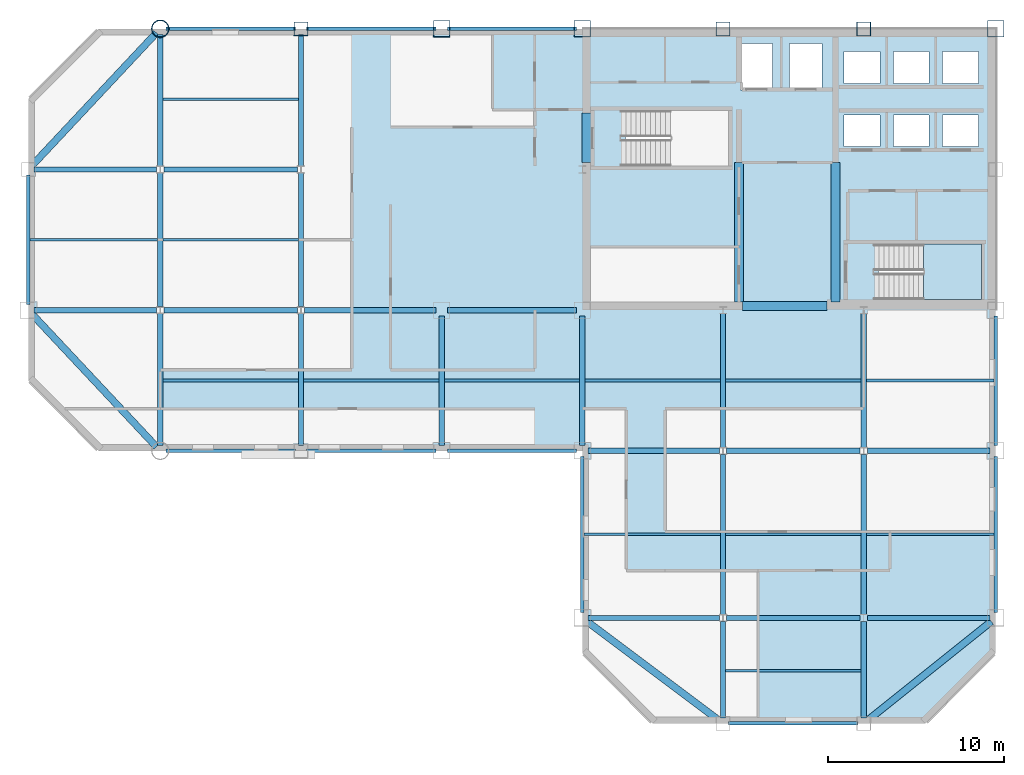
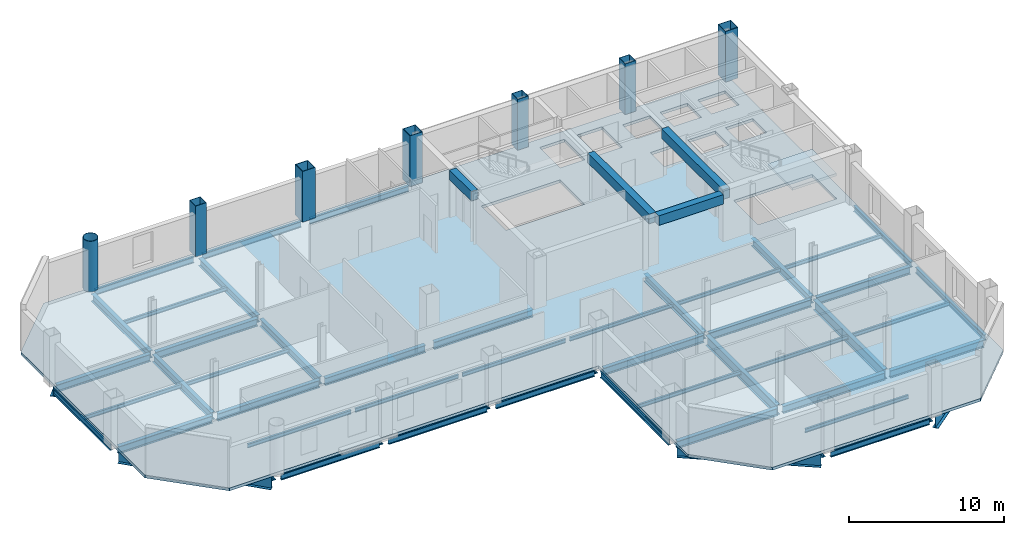
# One storey, part 3 of 10: 58 beams, 7 columns, 2 slabs, 1 element without a shape of its own.
"""IFC4 building model written with IfcOpenShell, lengths in metres."""

import ifcopenshell
import ifcopenshell.guid

model = None  # the IFC model being written
_history = None  # IfcOwnerHistory: only IFC2X3 demands one
_inside = {}  # id of a spatial element -> (the spatial element, [elements in it])
_under = {}  # id of a project, library or spatial element -> (it, [spatial elements below it])
_declared = {}  # id of a project -> (the project, [libraries it declares])
_typed = {}  # id of a type object -> (the type object, [elements of that type])
_made_of = {}  # id of a material, layer set ... -> (it, [elements and type objects made of it])


def new_model(schema):
    """Start an empty IFC model of exactly this schema.

    Asked for "IFC4X3", IfcOpenShell would pick the latest addendum, in which some entities
    have other attributes; the version numbers below select the first issue.
    IFC2X3 requires an IfcOwnerHistory on every rooted entity: one is made here for all.
    """
    global model, _history
    if schema == "IFC4X3":
        model = ifcopenshell.file(schema_version=(4, 3, 0, 0))
    else:
        model = ifcopenshell.file(schema=schema)
    _inside.clear()
    _under.clear()
    _declared.clear()
    _typed.clear()
    _made_of.clear()
    _history = None
    if model.schema == "IFC2X3":
        org = make("IfcOrganization", Name="unknown")
        user = make(
            "IfcPersonAndOrganization",
            ThePerson=make("IfcPerson", FamilyName="unknown"),
            TheOrganization=org,
        )
        app = make(
            "IfcApplication",
            ApplicationDeveloper=org,
            Version="unknown",
            ApplicationFullName="unknown",
            ApplicationIdentifier="unknown",
        )
        _history = make(
            "IfcOwnerHistory",
            OwningUser=user,
            OwningApplication=app,
            ChangeAction="ADDED",
            CreationDate=0,
        )
    return model


def make(cls, **values):
    """One entity of the class cls with the attributes given. An attribute that is None is left unset."""
    return model.create_entity(
        cls, **{name: value for name, value in values.items() if value is not None}
    )


def rooted(cls, **values):
    """An entity with a GlobalId (a new one), such as an element, a storey or a relation."""
    return make(cls, GlobalId=ifcopenshell.guid.new(), OwnerHistory=_history, **values)


def si_unit(unit_type, name, prefix=None):
    """IfcSIUnit, for example si_unit("LENGTHUNIT", "METRE", prefix="MILLI")."""
    return make("IfcSIUnit", UnitType=unit_type, Prefix=prefix, Name=name)


def assignment(units):
    """IfcUnitAssignment: the units of a project."""
    return None if units is None else make("IfcUnitAssignment", Units=units)


def point(xyz):
    """IfcCartesianPoint."""
    return None if xyz is None else make("IfcCartesianPoint", Coordinates=xyz)


def direction(xyz):
    """IfcDirection."""
    return None if xyz is None else make("IfcDirection", DirectionRatios=xyz)


def frame(location, z_axis=None, x_axis=None):
    """IfcAxis2Placement3D, a coordinate frame: its origin and axes. An axis left out is left unset."""
    return make(
        "IfcAxis2Placement3D",
        Location=point(location),
        Axis=direction(z_axis),
        RefDirection=direction(x_axis),
    )


def frame_2d(location, x_axis=None):
    """IfcAxis2Placement2D, a coordinate frame in the plane: its origin and x axis."""
    return make(
        "IfcAxis2Placement2D", Location=point(location), RefDirection=direction(x_axis)
    )


def origin():
    """The frame at (0, 0, 0) with its axes left unset."""
    return frame((0.0, 0.0, 0.0))


def origin_2d():
    """The frame at (0, 0) in the plane with its x axis left unset."""
    return frame_2d((0.0, 0.0))


def place(relative_to, where):
    """IfcLocalPlacement: puts the frame where relative to a parent placement (None: the world)."""
    return make(
        "IfcLocalPlacement", PlacementRelTo=relative_to, RelativePlacement=where
    )


def context(
    kind, dimensions, precision=None, world=None, true_north=None, identifier=None
):
    """IfcGeometricRepresentationContext, for example the 3D "Model" context."""
    return make(
        "IfcGeometricRepresentationContext",
        ContextIdentifier=identifier,
        ContextType=kind,
        CoordinateSpaceDimension=dimensions,
        Precision=precision,
        WorldCoordinateSystem=world,
        TrueNorth=true_north,
    )


def subcontext(parent, identifier, kind, view, scale=None):
    """IfcGeometricRepresentationSubContext, for example "Body" below "Model"."""
    return make(
        "IfcGeometricRepresentationSubContext",
        ContextIdentifier=identifier,
        ContextType=kind,
        ParentContext=parent,
        TargetScale=scale,
        TargetView=view,
    )


def project(units=None, contexts=None):
    """IfcProject with its units and contexts."""
    return rooted(
        "IfcProject",
        Name="project",
        RepresentationContexts=contexts,
        UnitsInContext=assignment(units),
    )


def spatial(cls, under=None, at=None, **own):
    """A site, building, storey or space (cls), placed at a placement, below another one or the project."""
    s = rooted(cls, ObjectPlacement=at, **own)
    if under is not None:
        _under.setdefault(under.id(), (under, []))[1].append(s)
    return s


def polyline(points):
    """IfcPolyline through the points."""
    return make("IfcPolyline", Points=[point(p) for p in points])


def profile(cls, at=None, kind="AREA", **sizes):
    """A parametric profile (cls). Its sizes go by their IFC names, for example OverallWidth=200.0."""
    return make(cls, ProfileType=kind, Position=at, **sizes)


def rectangle(**sizes):
    """IfcRectangleProfileDef."""
    return profile("IfcRectangleProfileDef", **sizes)


def hollow_rectangle(**sizes):
    """IfcRectangleHollowProfileDef."""
    return profile("IfcRectangleHollowProfileDef", **sizes)


def hollow_circle(**sizes):
    """IfcCircleHollowProfileDef."""
    return profile("IfcCircleHollowProfileDef", **sizes)


def i_section(**sizes):
    """IfcIShapeProfileDef."""
    return profile("IfcIShapeProfileDef", **sizes)


def outline(outer, holes=None, kind="AREA"):
    """IfcArbitraryClosedProfileDef: a profile drawn as a closed curve; with holes, ...WithVoids."""
    if holes is None:
        return make("IfcArbitraryClosedProfileDef", ProfileType=kind, OuterCurve=outer)
    return make(
        "IfcArbitraryProfileDefWithVoids",
        ProfileType=kind,
        OuterCurve=outer,
        InnerCurves=holes,
    )


def extrude(swept, where, along, depth):
    """IfcExtrudedAreaSolid: the profile swept, set in the frame where, extruded along a direction by depth."""
    return make(
        "IfcExtrudedAreaSolid",
        SweptArea=swept,
        Position=where,
        ExtrudedDirection=direction(along),
        Depth=depth,
    )


def shape(context_of_items, identifier, shape_type, items):
    """IfcShapeRepresentation: the items that make up one representation, for example the "Body"."""
    return make(
        "IfcShapeRepresentation",
        ContextOfItems=context_of_items,
        RepresentationIdentifier=identifier,
        RepresentationType=shape_type,
        Items=items,
    )


def material(Name=None, Category=None):
    """IfcMaterial."""
    return make("IfcMaterial", Name=Name, Category=Category)


def layer(
    of_material, thickness, ventilated=None, Name=None, Category=None, Priority=None
):
    """IfcMaterialLayer: one layer of a wall or slab, of a material (None: an air gap)."""
    return make(
        "IfcMaterialLayer",
        Material=of_material,
        LayerThickness=thickness,
        IsVentilated=ventilated,
        Name=Name,
        Category=Category,
        Priority=Priority,
    )


def layer_set(layers, Name=None):
    """IfcMaterialLayerSet."""
    return make("IfcMaterialLayerSet", MaterialLayers=layers, LayerSetName=Name)


def material_profile(
    of_material, cross_section, Name=None, Category=None, Priority=None
):
    """IfcMaterialProfile: a cross section and its material."""
    return make(
        "IfcMaterialProfile",
        Name=Name,
        Material=of_material,
        Profile=cross_section,
        Priority=Priority,
        Category=Category,
    )


def profile_set(profiles, Name=None, composite=None):
    """IfcMaterialProfileSet."""
    return make(
        "IfcMaterialProfileSet",
        Name=Name,
        MaterialProfiles=profiles,
        CompositeProfile=composite,
    )


def made_of(thing, what):
    """Note that an element or type object is made of a material, layer set ...; save() writes the relation."""
    if what is not None:
        _made_of.setdefault(what.id(), (what, []))[1].append(thing)
    return thing


def type_object(cls, material=None, **own):
    """A type object (cls), such as IfcWallType, which elements share."""
    return made_of(rooted(cls, **own), material)


def element(
    cls,
    number,
    at=None,
    inside=None,
    cuts=None,
    type_object=None,
    material=None,
    context=None,
    identifier="Body",
    shape_type=None,
    held_by="IfcProductDefinitionShape",
    body=None,
    shapes=None,
    **own,
):
    """One element of the class cls, such as IfcWall. Its Tag is "e" and its number.

    at: its placement. inside: the storey or other place that contains it. cuts: it is an
    opening in that element (IfcRelVoidsElement). A single representation is given by context,
    identifier, shape_type and body (its items); several are given by shapes. held_by: the class
    of the entity that holds the representations. save() writes the other relations.
    """
    e = rooted(cls, Tag="e%d" % number, ObjectPlacement=at, **own)
    if body is not None:
        shapes = [shape(context, identifier, shape_type, body)]
    if shapes is not None:
        e.Representation = make(held_by, Representations=shapes)
    if inside is not None:
        _inside.setdefault(inside.id(), (inside, []))[1].append(e)
    if cuts is not None:
        rooted(
            "IfcRelVoidsElement", RelatingBuildingElement=cuts, RelatedOpeningElement=e
        )
    if type_object is not None:
        _typed.setdefault(type_object.id(), (type_object, []))[1].append(e)
    return made_of(e, material)


def aggregate(whole, parts):
    """IfcRelAggregates: a whole, such as a stair, and the parts it consists of."""
    return rooted("IfcRelAggregates", RelatingObject=whole, RelatedObjects=parts)


def save(model, path):
    """Write the relations noted so far, then the file.

    IfcRelAggregates (storeys below a building ...), IfcRelContainedInSpatialStructure (elements
    in a storey), IfcRelDefinesByType, IfcRelAssociatesMaterial and IfcRelDeclares: one each for
    every whole, place, type object, material and project.
    """
    for whole, parts in _under.values():
        aggregate(whole, parts)
    for where, things in _inside.values():
        rooted(
            "IfcRelContainedInSpatialStructure",
            RelatedElements=things,
            RelatingStructure=where,
        )
    for kind, things in _typed.values():
        rooted("IfcRelDefinesByType", RelatedObjects=things, RelatingType=kind)
    for what, things in _made_of.values():
        rooted("IfcRelAssociatesMaterial", RelatedObjects=things, RelatingMaterial=what)
    for by, libraries in _declared.values():
        rooted("IfcRelDeclares", RelatingContext=by, RelatedDefinitions=libraries)
    model.write(path)


model = new_model("IFC4")

# Units and contexts
model_context = context("Model", 3, precision=1e-05, world=origin(), true_north=direction((0.0, 1.0)))
body_context = subcontext(model_context, "Body", "Model", "MODEL_VIEW")
ifc_project = project(units=[si_unit("LENGTHUNIT", "METRE"), si_unit("AREAUNIT", "SQUARE_METRE"), si_unit("VOLUMEUNIT", "CUBIC_METRE"), si_unit("PLANEANGLEUNIT", "RADIAN"), si_unit("MASSUNIT", "GRAM", prefix="KILO")], contexts=[model_context])

# Site, building, storey
site_placement = place(None, origin())
site = spatial("IfcSite", under=ifc_project, at=site_placement, CompositionType="ELEMENT")
building_placement = place(site_placement, origin())
building = spatial("IfcBuilding", under=site, at=building_placement, Name="Qianrong Seaharbour Tower", CompositionType="ELEMENT")
storey_placement = place(building_placement, frame((0.0, 0.0, 233.800048828125)))
storey = spatial("IfcBuildingStorey", under=building, at=storey_placement, Name="L56", CompositionType="ELEMENT", Elevation=233.800048828125)

# Columns
ifc_material_1 = material(Name="Structural steel SN490B", Category="steel")
ifc_material_profile_1 = material_profile(ifc_material_1, hollow_rectangle(XDim=0.949951171875, YDim=0.949951171875, WallThickness=0.035888671875, at=origin_2d()), Name="BOX950x950x36")
ifc_profile_set_1 = profile_set([ifc_material_profile_1], Name="Structural steel SN490B")
column_type_1 = type_object("IfcColumnType", Name="COL-CFT-950", PredefinedType="COLUMN", material=ifc_profile_set_1)
for number, where, z_axis, x_axis, name in (
    (1, (32.5, 52.0, 0.0), (0.0, 0.0, 1.0), (1.0, 0.0, 0.0), "L56 Column MC-4 at G5/GH"),
    (2, (40.5, 52.0, 0.0), (0.0, 0.0, 1.0), (1.0, 0.0, 0.0), "L56 Column MC-4 at G6/GH"),
    (3, (64.0, 52.0, 0.0), (0.0, 0.0, 1.0), (1.0, 0.0, 0.0), "L56 Column MC-4 at G9/GH"),
):
    element("IfcColumn", number, at=place(storey_placement, frame(where, z_axis=z_axis, x_axis=x_axis)), inside=storey, type_object=column_type_1, Name=name, PredefinedType="COLUMN", context=body_context, shape_type="SweptSolid", body=[
        extrude(hollow_rectangle(XDim=0.949951171875, YDim=0.949951171875, WallThickness=0.035888671875, at=origin_2d()), origin(), (0.0, 0.0, 1.0), 4.0),
    ])
ifc_material_profile_2 = material_profile(ifc_material_1, hollow_circle(Radius=0.5, WallThickness=0.035888671875, at=origin_2d()), Name="CHS1000x36")
ifc_profile_set_2 = profile_set([ifc_material_profile_2], Name="Structural steel SN490B")
column_type_2 = type_object("IfcColumnType", Name="COL-CHS-1000", PredefinedType="COLUMN", material=ifc_profile_set_2)
column_placement = place(storey_placement, frame((16.5, 52.0, 0.0), z_axis=(0.0, 0.0, 1.0), x_axis=(1.0, 0.0, 0.0)))
element("IfcColumn", 4, at=column_placement, inside=storey, type_object=column_type_2, Name="L56 Column CC-2 at G3/GH", PredefinedType="COLUMN", context=body_context, shape_type="SweptSolid", body=[
    extrude(hollow_circle(Radius=0.5, WallThickness=0.035888671875, at=origin_2d()), origin(), (0.0, 0.0, 1.0), 4.0),
])
ifc_material_profile_3 = material_profile(ifc_material_1, hollow_rectangle(XDim=0.800048828125, YDim=0.800048828125, WallThickness=0.031982421875, at=origin_2d()), Name="BOX800x800x32")
ifc_profile_set_3 = profile_set([ifc_material_profile_3], Name="Structural steel SN490B")
column_type_3 = type_object("IfcColumnType", Name="COL-PER-800", PredefinedType="COLUMN", material=ifc_profile_set_3)
for number, where, z_axis, x_axis, name in (
    (5, (24.5, 52.0, 0.0), (0.0, 0.0, 1.0), (1.0, 0.0, 0.0), "L56 Column PC-3 at G4/GH"),
    (6, (48.5, 52.0, 0.0), (0.0, 0.0, 1.0), (1.0, 0.0, 0.0), "L56 Column PC-3 at G7/GH"),
    (7, (56.5, 52.0, 0.0), (0.0, 0.0, 1.0), (1.0, 0.0, 0.0), "L56 Column PC-3 at G8/GH"),
):
    element("IfcColumn", number, at=place(storey_placement, frame(where, z_axis=z_axis, x_axis=x_axis)), inside=storey, type_object=column_type_3, Name=name, PredefinedType="COLUMN", context=body_context, shape_type="SweptSolid", body=[
        extrude(hollow_rectangle(XDim=0.800048828125, YDim=0.800048828125, WallThickness=0.031982421875, at=origin_2d()), origin(), (0.0, 0.0, 1.0), 4.0),
    ])

# Beams
ifc_material_profile_4 = material_profile(ifc_material_1, i_section(OverallWidth=0.300048828125, OverallDepth=0.587890625, WebThickness=0.011962890625, FlangeThickness=0.02001953125, FilletRadius=0.02392578125, at=origin_2d()), Name="H588x300x12x20")
ifc_profile_set_4 = profile_set([ifc_material_profile_4], Name="Structural steel SN490B")
beam_type_1 = type_object("IfcBeamType", Name="BM-G-588", PredefinedType="BEAM", material=ifc_profile_set_4)
beam_1_placement = place(storey_placement, frame((40.820068359375, 18.5, -0.51904296875), z_axis=(1.0, 0.0, 0.0), x_axis=(0.0, 1.0, 0.0)))
element("IfcBeam", 8, at=beam_1_placement, inside=storey, type_object=beam_type_1, Name="L56 Primary Girder GD G6-G7", PredefinedType="BEAM", context=body_context, shape_type="SweptSolid", body=[
    extrude(i_section(OverallWidth=0.300048828125, OverallDepth=0.587890625, WebThickness=0.011962890625, FlangeThickness=0.02001953125, FilletRadius=0.02392578125, at=origin_2d()), origin(), (0.0, 0.0, 1.0), 7.47998046875),
])
beam_2_placement = place(storey_placement, frame((48.699951171875, 18.5, -0.51904296875), z_axis=(1.0, 0.0, 0.0), x_axis=(0.0, 1.0, 0.0)))
element("IfcBeam", 9, at=beam_2_placement, inside=storey, type_object=beam_type_1, Name="L56 Primary Girder GD G7-G8", PredefinedType="BEAM", context=body_context, shape_type="SweptSolid", body=[
    extrude(i_section(OverallWidth=0.300048828125, OverallDepth=0.587890625, WebThickness=0.011962890625, FlangeThickness=0.02001953125, FilletRadius=0.02392578125, at=origin_2d()), origin(), (0.0, 0.0, 1.0), 7.60009765625),
])
beam_3_placement = place(storey_placement, frame((56.699951171875, 18.5, -0.51904296875), z_axis=(1.0, 0.0, 0.0), x_axis=(0.0, 1.0, 0.0)))
element("IfcBeam", 10, at=beam_3_placement, inside=storey, type_object=beam_type_1, Name="L56 Primary Girder GD G8-G9", PredefinedType="BEAM", context=body_context, shape_type="SweptSolid", body=[
    extrude(i_section(OverallWidth=0.300048828125, OverallDepth=0.587890625, WebThickness=0.011962890625, FlangeThickness=0.02001953125, FilletRadius=0.02392578125, at=origin_2d()), origin(), (0.0, 0.0, 1.0), 6.97998046875),
])
beam_4_placement = place(storey_placement, frame((40.820068359375, 28.0, -0.51904296875), z_axis=(1.0, 0.0, 0.0), x_axis=(0.0, 1.0, 0.0)))
element("IfcBeam", 11, at=beam_4_placement, inside=storey, type_object=beam_type_1, Name="L56 Primary Girder GE G6-G7", PredefinedType="BEAM", context=body_context, shape_type="SweptSolid", body=[
    extrude(i_section(OverallWidth=0.300048828125, OverallDepth=0.587890625, WebThickness=0.011962890625, FlangeThickness=0.02001953125, FilletRadius=0.02392578125, at=origin_2d()), origin(), (0.0, 0.0, 1.0), 7.47998046875),
])
beam_5_placement = place(storey_placement, frame((48.699951171875, 28.0, -0.51904296875), z_axis=(1.0, 0.0, 0.0), x_axis=(0.0, 1.0, 0.0)))
element("IfcBeam", 12, at=beam_5_placement, inside=storey, type_object=beam_type_1, Name="L56 Primary Girder GE G7-G8", PredefinedType="BEAM", context=body_context, shape_type="SweptSolid", body=[
    extrude(i_section(OverallWidth=0.300048828125, OverallDepth=0.587890625, WebThickness=0.011962890625, FlangeThickness=0.02001953125, FilletRadius=0.02392578125, at=origin_2d()), origin(), (0.0, 0.0, 1.0), 7.60009765625),
])
for number, where, z_axis, x_axis, name in (
    (13, (56.699951171875, 28.0, -0.51904296875), (1.0, 0.0, 0.0), (0.0, 1.0, 0.0), "L56 Primary Girder GE G8-G9"),
    (14, (9.320068359375, 36.0, -0.51904296875), (1.0, 0.0, 0.0), (0.0, 1.0, 0.0), "L56 Primary Girder GF G2-G3"),
):
    element("IfcBeam", number, at=place(storey_placement, frame(where, z_axis=z_axis, x_axis=x_axis)), inside=storey, type_object=beam_type_1, Name=name, PredefinedType="BEAM", context=body_context, shape_type="SweptSolid", body=[
        extrude(i_section(OverallWidth=0.300048828125, OverallDepth=0.587890625, WebThickness=0.011962890625, FlangeThickness=0.02001953125, FilletRadius=0.02392578125, at=origin_2d()), origin(), (0.0, 0.0, 1.0), 6.97998046875),
    ])
beam_6_placement = place(storey_placement, frame((16.699951171875, 36.0, -0.51904296875), z_axis=(1.0, 0.0, 0.0), x_axis=(0.0, 1.0, 0.0)))
element("IfcBeam", 15, at=beam_6_placement, inside=storey, type_object=beam_type_1, Name="L56 Primary Girder GF G3-G4", PredefinedType="BEAM", context=body_context, shape_type="SweptSolid", body=[
    extrude(i_section(OverallWidth=0.300048828125, OverallDepth=0.587890625, WebThickness=0.011962890625, FlangeThickness=0.02001953125, FilletRadius=0.02392578125, at=origin_2d()), origin(), (0.0, 0.0, 1.0), 7.60009765625),
])
beam_7_placement = place(storey_placement, frame((24.699951171875, 36.0, -0.51904296875), z_axis=(1.0, 0.0, 0.0), x_axis=(0.0, 1.0, 0.0)))
element("IfcBeam", 16, at=beam_7_placement, inside=storey, type_object=beam_type_1, Name="L56 Primary Girder GF G4-G5", PredefinedType="BEAM", context=body_context, shape_type="SweptSolid", body=[
    extrude(i_section(OverallWidth=0.300048828125, OverallDepth=0.587890625, WebThickness=0.011962890625, FlangeThickness=0.02001953125, FilletRadius=0.02392578125, at=origin_2d()), origin(), (0.0, 0.0, 1.0), 7.47998046875),
])
beam_8_placement = place(storey_placement, frame((32.820068359375, 36.0, -0.51904296875), z_axis=(1.0, 0.0, 0.0), x_axis=(0.0, 1.0, 0.0)))
element("IfcBeam", 17, at=beam_8_placement, inside=storey, type_object=beam_type_1, Name="L56 Primary Girder GF G5-G6", PredefinedType="BEAM", context=body_context, shape_type="SweptSolid", body=[
    extrude(i_section(OverallWidth=0.300048828125, OverallDepth=0.587890625, WebThickness=0.011962890625, FlangeThickness=0.02001953125, FilletRadius=0.02392578125, at=origin_2d()), origin(), (0.0, 0.0, 1.0), 7.35986328125),
])
beam_9_placement = place(storey_placement, frame((9.320068359375, 44.0, -0.51904296875), z_axis=(1.0, 0.0, 0.0), x_axis=(0.0, 1.0, 0.0)))
element("IfcBeam", 18, at=beam_9_placement, inside=storey, type_object=beam_type_1, Name="L56 Primary Girder GG G2-G3", PredefinedType="BEAM", context=body_context, shape_type="SweptSolid", body=[
    extrude(i_section(OverallWidth=0.300048828125, OverallDepth=0.587890625, WebThickness=0.011962890625, FlangeThickness=0.02001953125, FilletRadius=0.02392578125, at=origin_2d()), origin(), (0.0, 0.0, 1.0), 6.97998046875),
])
beam_10_placement = place(storey_placement, frame((16.699951171875, 44.0, -0.51904296875), z_axis=(1.0, 0.0, 0.0), x_axis=(0.0, 1.0, 0.0)))
element("IfcBeam", 19, at=beam_10_placement, inside=storey, type_object=beam_type_1, Name="L56 Primary Girder GG G3-G4", PredefinedType="BEAM", context=body_context, shape_type="SweptSolid", body=[
    extrude(i_section(OverallWidth=0.300048828125, OverallDepth=0.587890625, WebThickness=0.011962890625, FlangeThickness=0.02001953125, FilletRadius=0.02392578125, at=origin_2d()), origin(), (0.0, 0.0, 1.0), 7.60009765625),
])
beam_11_placement = place(storey_placement, frame((16.5, 28.320068359375, -0.51904296875), z_axis=(0.0, 1.0, 0.0), x_axis=(-1.0, 0.0, 0.0)))
element("IfcBeam", 20, at=beam_11_placement, inside=storey, type_object=beam_type_1, Name="L56 Primary Girder G3 GE-GF", PredefinedType="BEAM", context=body_context, shape_type="SweptSolid", body=[
    extrude(i_section(OverallWidth=0.300048828125, OverallDepth=0.587890625, WebThickness=0.011962890625, FlangeThickness=0.02001953125, FilletRadius=0.02392578125, at=origin_2d()), origin(), (0.0, 0.0, 1.0), 7.47998046875),
])
beam_12_placement = place(storey_placement, frame((16.5, 36.199951171875, -0.51904296875), z_axis=(0.0, 1.0, 0.0), x_axis=(-1.0, 0.0, 0.0)))
element("IfcBeam", 21, at=beam_12_placement, inside=storey, type_object=beam_type_1, Name="L56 Primary Girder G3 GF-GG", PredefinedType="BEAM", context=body_context, shape_type="SweptSolid", body=[
    extrude(i_section(OverallWidth=0.300048828125, OverallDepth=0.587890625, WebThickness=0.011962890625, FlangeThickness=0.02001953125, FilletRadius=0.02392578125, at=origin_2d()), origin(), (0.0, 0.0, 1.0), 7.60009765625),
])
for number, where, z_axis, x_axis, name in (
    (22, (16.5, 44.199951171875, -0.51904296875), (0.0, 1.0, 0.0), (-1.0, 0.0, 0.0), "L56 Primary Girder G3 GG-GH"),
    (23, (24.5, 28.320068359375, -0.51904296875), (0.0, 1.0, 0.0), (-1.0, 0.0, 0.0), "L56 Primary Girder G4 GE-GF"),
):
    element("IfcBeam", number, at=place(storey_placement, frame(where, z_axis=z_axis, x_axis=x_axis)), inside=storey, type_object=beam_type_1, Name=name, PredefinedType="BEAM", context=body_context, shape_type="SweptSolid", body=[
        extrude(i_section(OverallWidth=0.300048828125, OverallDepth=0.587890625, WebThickness=0.011962890625, FlangeThickness=0.02001953125, FilletRadius=0.02392578125, at=origin_2d()), origin(), (0.0, 0.0, 1.0), 7.47998046875),
    ])
beam_13_placement = place(storey_placement, frame((24.5, 36.199951171875, -0.51904296875), z_axis=(0.0, 1.0, 0.0), x_axis=(-1.0, 0.0, 0.0)))
element("IfcBeam", 24, at=beam_13_placement, inside=storey, type_object=beam_type_1, Name="L56 Primary Girder G4 GF-GG", PredefinedType="BEAM", context=body_context, shape_type="SweptSolid", body=[
    extrude(i_section(OverallWidth=0.300048828125, OverallDepth=0.587890625, WebThickness=0.011962890625, FlangeThickness=0.02001953125, FilletRadius=0.02392578125, at=origin_2d()), origin(), (0.0, 0.0, 1.0), 7.60009765625),
])
beam_14_placement = place(storey_placement, frame((24.5, 44.199951171875, -0.51904296875), z_axis=(0.0, 1.0, 0.0), x_axis=(-1.0, 0.0, 0.0)))
element("IfcBeam", 25, at=beam_14_placement, inside=storey, type_object=beam_type_1, Name="L56 Primary Girder G4 GG-GH", PredefinedType="BEAM", context=body_context, shape_type="SweptSolid", body=[
    extrude(i_section(OverallWidth=0.300048828125, OverallDepth=0.587890625, WebThickness=0.011962890625, FlangeThickness=0.02001953125, FilletRadius=0.02392578125, at=origin_2d()), origin(), (0.0, 0.0, 1.0), 7.47998046875),
])
for number, where, z_axis, x_axis, name in (
    (26, (32.5, 28.320068359375, -0.51904296875), (0.0, 1.0, 0.0), (-1.0, 0.0, 0.0), "L56 Primary Girder G5 GE-GF"),
    (27, (40.5, 28.320068359375, -0.51904296875), (0.0, 1.0, 0.0), (-1.0, 0.0, 0.0), "L56 Primary Girder G6 GE-GF"),
):
    element("IfcBeam", number, at=place(storey_placement, frame(where, z_axis=z_axis, x_axis=x_axis)), inside=storey, type_object=beam_type_1, Name=name, PredefinedType="BEAM", context=body_context, shape_type="SweptSolid", body=[
        extrude(i_section(OverallWidth=0.300048828125, OverallDepth=0.587890625, WebThickness=0.011962890625, FlangeThickness=0.02001953125, FilletRadius=0.02392578125, at=origin_2d()), origin(), (0.0, 0.0, 1.0), 7.35986328125),
    ])
beam_15_placement = place(storey_placement, frame((48.5, 12.820068359375, -0.51904296875), z_axis=(0.0, 1.0, 0.0), x_axis=(-1.0, 0.0, 0.0)))
element("IfcBeam", 28, at=beam_15_placement, inside=storey, type_object=beam_type_1, Name="L56 Primary Girder G7 GC-GD", PredefinedType="BEAM", context=body_context, shape_type="SweptSolid", body=[
    extrude(i_section(OverallWidth=0.300048828125, OverallDepth=0.587890625, WebThickness=0.011962890625, FlangeThickness=0.02001953125, FilletRadius=0.02392578125, at=origin_2d()), origin(), (0.0, 0.0, 1.0), 5.47998046875),
])
beam_16_placement = place(storey_placement, frame((48.5, 28.199951171875, -0.51904296875), z_axis=(0.0, 1.0, 0.0), x_axis=(-1.0, 0.0, 0.0)))
element("IfcBeam", 29, at=beam_16_placement, inside=storey, type_object=beam_type_1, Name="L56 Primary Girder G7 GE-GF", PredefinedType="BEAM", context=body_context, shape_type="SweptSolid", body=[
    extrude(i_section(OverallWidth=0.300048828125, OverallDepth=0.587890625, WebThickness=0.011962890625, FlangeThickness=0.02001953125, FilletRadius=0.02392578125, at=origin_2d()), origin(), (0.0, 0.0, 1.0), 7.60009765625),
])
beam_17_placement = place(storey_placement, frame((56.5, 12.820068359375, -0.51904296875), z_axis=(0.0, 1.0, 0.0), x_axis=(-1.0, 0.0, 0.0)))
element("IfcBeam", 30, at=beam_17_placement, inside=storey, type_object=beam_type_1, Name="L56 Primary Girder G8 GC-GD", PredefinedType="BEAM", context=body_context, shape_type="SweptSolid", body=[
    extrude(i_section(OverallWidth=0.300048828125, OverallDepth=0.587890625, WebThickness=0.011962890625, FlangeThickness=0.02001953125, FilletRadius=0.02392578125, at=origin_2d()), origin(), (0.0, 0.0, 1.0), 5.47998046875),
])
beam_18_placement = place(storey_placement, frame((56.5, 28.199951171875, -0.51904296875), z_axis=(0.0, 1.0, 0.0), x_axis=(-1.0, 0.0, 0.0)))
element("IfcBeam", 31, at=beam_18_placement, inside=storey, type_object=beam_type_1, Name="L56 Primary Girder G8 GE-GF", PredefinedType="BEAM", context=body_context, shape_type="SweptSolid", body=[
    extrude(i_section(OverallWidth=0.300048828125, OverallDepth=0.587890625, WebThickness=0.011962890625, FlangeThickness=0.02001953125, FilletRadius=0.02392578125, at=origin_2d()), origin(), (0.0, 0.0, 1.0), 7.60009765625),
])
ifc_material_profile_5 = material_profile(ifc_material_1, i_section(OverallWidth=0.300048828125, OverallDepth=0.800048828125, WebThickness=0.013916015625, FlangeThickness=0.02587890625, FilletRadius=0.028076171875, at=origin_2d()), Name="H800x300x14x26")
ifc_profile_set_5 = profile_set([ifc_material_profile_5], Name="Structural steel SN490B")
beam_type_2 = type_object("IfcBeamType", Name="BM-G-800", PredefinedType="BEAM", material=ifc_profile_set_5)
for number, where, z_axis, x_axis, name in (
    (32, (48.5, 18.699951171875, -0.625), (0.0, 1.0, 0.0), (-1.0, 0.0, 0.0), "L56 Primary Girder G7 GD-GE"),
    (33, (56.5, 18.699951171875, -0.625), (0.0, 1.0, 0.0), (-1.0, 0.0, 0.0), "L56 Primary Girder G8 GD-GE"),
):
    element("IfcBeam", number, at=place(storey_placement, frame(where, z_axis=z_axis, x_axis=x_axis)), inside=storey, type_object=beam_type_2, Name=name, PredefinedType="BEAM", context=body_context, shape_type="SweptSolid", body=[
        extrude(i_section(OverallWidth=0.300048828125, OverallDepth=0.800048828125, WebThickness=0.013916015625, FlangeThickness=0.02587890625, FilletRadius=0.028076171875, at=origin_2d()), origin(), (0.0, 0.0, 1.0), 9.10009765625),
    ])
ifc_material_2 = material(Name="Structural steel SN400B", Category="steel")
ifc_material_profile_6 = material_profile(ifc_material_2, i_section(OverallWidth=0.14990234375, OverallDepth=0.300048828125, WebThickness=0.006591796875, FlangeThickness=0.009033203125, FilletRadius=0.012939453125, at=origin_2d()), Name="H300x150x6.5x9")
ifc_profile_set_6 = profile_set([ifc_material_profile_6], Name="Structural steel SN400B")
beam_type_3 = type_object("IfcBeamType", Name="BM-J-300", PredefinedType="JOIST", material=ifc_profile_set_6)
beam_19_placement = place(storey_placement, frame((9.10009765625, 40.0, -0.375), z_axis=(1.0, 0.0, 0.0), x_axis=(0.0, 1.0, 0.0)))
element("IfcBeam", 34, at=beam_19_placement, inside=storey, type_object=beam_type_3, Name="L56 Composite Floor Joist G2-G3/GF-GG", PredefinedType="JOIST", context=body_context, shape_type="SweptSolid", body=[
    extrude(i_section(OverallWidth=0.14990234375, OverallDepth=0.300048828125, WebThickness=0.006591796875, FlangeThickness=0.009033203125, FilletRadius=0.012939453125, at=origin_2d()), origin(), (0.0, 0.0, 1.0), 7.25),
])
for number, where, z_axis, x_axis, name in (
    (35, (16.64990234375, 32.0, -0.375), (1.0, 0.0, 0.0), (0.0, 1.0, 0.0), "L56 Composite Floor Joist G3-G4/GE-GF"),
    (36, (16.64990234375, 40.0, -0.375), (1.0, 0.0, 0.0), (0.0, 1.0, 0.0), "L56 Composite Floor Joist G3-G4/GF-GG"),
    (37, (16.64990234375, 48.0, -0.375), (1.0, 0.0, 0.0), (0.0, 1.0, 0.0), "L56 Composite Floor Joist G3-G4/GG-GH"),
    (38, (24.64990234375, 32.0, -0.375), (1.0, 0.0, 0.0), (0.0, 1.0, 0.0), "L56 Composite Floor Joist G4-G5/GE-GF"),
    (39, (32.64990234375, 32.0, -0.375), (1.0, 0.0, 0.0), (0.0, 1.0, 0.0), "L56 Composite Floor Joist G5-G6/GE-GF"),
):
    element("IfcBeam", number, at=place(storey_placement, frame(where, z_axis=z_axis, x_axis=x_axis)), inside=storey, type_object=beam_type_3, Name=name, PredefinedType="JOIST", context=body_context, shape_type="SweptSolid", body=[
        extrude(i_section(OverallWidth=0.14990234375, OverallDepth=0.300048828125, WebThickness=0.006591796875, FlangeThickness=0.009033203125, FilletRadius=0.012939453125, at=origin_2d()), origin(), (0.0, 0.0, 1.0), 7.7001953125),
    ])
beam_20_placement = place(storey_placement, frame((40.60009765625, 23.25, -0.375), z_axis=(1.0, 0.0, 0.0), x_axis=(0.0, 1.0, 0.0)))
element("IfcBeam", 40, at=beam_20_placement, inside=storey, type_object=beam_type_3, Name="L56 Composite Floor Joist G6-G7/GD-GE", PredefinedType="JOIST", context=body_context, shape_type="SweptSolid", body=[
    extrude(i_section(OverallWidth=0.14990234375, OverallDepth=0.300048828125, WebThickness=0.006591796875, FlangeThickness=0.009033203125, FilletRadius=0.012939453125, at=origin_2d()), origin(), (0.0, 0.0, 1.0), 7.75),
])
for number, where, z_axis, x_axis, name in (
    (41, (40.64990234375, 32.0, -0.375), (1.0, 0.0, 0.0), (0.0, 1.0, 0.0), "L56 Composite Floor Joist G6-G7/GE-GF"),
    (42, (48.64990234375, 15.5, -0.375), (1.0, 0.0, 0.0), (0.0, 1.0, 0.0), "L56 Composite Floor Joist G7-G8/GC-GD"),
    (43, (48.64990234375, 23.25, -0.375), (1.0, 0.0, 0.0), (0.0, 1.0, 0.0), "L56 Composite Floor Joist G7-G8/GD-GE"),
    (44, (48.64990234375, 32.0, -0.375), (1.0, 0.0, 0.0), (0.0, 1.0, 0.0), "L56 Composite Floor Joist G7-G8/GE-GF"),
):
    element("IfcBeam", number, at=place(storey_placement, frame(where, z_axis=z_axis, x_axis=x_axis)), inside=storey, type_object=beam_type_3, Name=name, PredefinedType="JOIST", context=body_context, shape_type="SweptSolid", body=[
        extrude(i_section(OverallWidth=0.14990234375, OverallDepth=0.300048828125, WebThickness=0.006591796875, FlangeThickness=0.009033203125, FilletRadius=0.012939453125, at=origin_2d()), origin(), (0.0, 0.0, 1.0), 7.7001953125),
    ])
for number, where, z_axis, x_axis, name in (
    (45, (56.64990234375, 23.25, -0.375), (1.0, 0.0, 0.0), (0.0, 1.0, 0.0), "L56 Composite Floor Joist G8-G9/GD-GE"),
    (46, (56.64990234375, 32.0, -0.375), (1.0, 0.0, 0.0), (0.0, 1.0, 0.0), "L56 Composite Floor Joist G8-G9/GE-GF"),
):
    element("IfcBeam", number, at=place(storey_placement, frame(where, z_axis=z_axis, x_axis=x_axis)), inside=storey, type_object=beam_type_3, Name=name, PredefinedType="JOIST", context=body_context, shape_type="SweptSolid", body=[
        extrude(i_section(OverallWidth=0.14990234375, OverallDepth=0.300048828125, WebThickness=0.006591796875, FlangeThickness=0.009033203125, FilletRadius=0.012939453125, at=origin_2d()), origin(), (0.0, 0.0, 1.0), 7.25),
    ])
ifc_material_3 = material(Name="Concrete C60/75", Category="concrete")
ifc_material_profile_7 = material_profile(ifc_material_3, rectangle(XDim=0.5, YDim=0.75, at=origin_2d()), Name="RC500x750")
ifc_profile_set_7 = profile_set([ifc_material_profile_7], Name="Concrete C60/75")
beam_type_4 = type_object("IfcBeamType", Name="BM-LINTEL-750", PredefinedType="LINTEL", material=ifc_profile_set_7)
beam_21_placement = place(storey_placement, frame((40.72998046875, 44.39990234375, 3.39990234375), z_axis=(0.0, 1.0, 0.0), x_axis=(-1.0, 0.0, 0.0)))
element("IfcBeam", 47, at=beam_21_placement, inside=storey, type_object=beam_type_4, Name="L56 Core Coupling Lintel Beam West", PredefinedType="LINTEL", context=body_context, shape_type="SweptSolid", body=[
    extrude(rectangle(XDim=0.5, YDim=0.75, at=origin_2d()), origin(), (0.0, 0.0, 1.0), 2.800048828125),
])
beam_22_placement = place(storey_placement, frame((49.60009765625, 36.22998046875, 3.39990234375), z_axis=(1.0, 0.0, 0.0), x_axis=(0.0, 1.0, 0.0)))
element("IfcBeam", 48, at=beam_22_placement, inside=storey, type_object=beam_type_4, Name="L56 Core Coupling Lintel Beam CBC", PredefinedType="LINTEL", context=body_context, shape_type="SweptSolid", body=[
    extrude(rectangle(XDim=0.5, YDim=0.75, at=origin_2d()), origin(), (0.0, 0.0, 1.0), 4.7998046875),
])
for number, where, z_axis, x_axis, name in (
    (49, (49.39990234375, 36.4599609375, 3.39990234375), (0.0, 1.0, 0.0), (-1.0, 0.0, 0.0), "L56 Internal Core Coupling Beam IW1"),
    (50, (54.89990234375, 36.4599609375, 3.39990234375), (0.0, 1.0, 0.0), (-1.0, 0.0, 0.0), "L56 Internal Core Coupling Beam IW2"),
):
    element("IfcBeam", number, at=place(storey_placement, frame(where, z_axis=z_axis, x_axis=x_axis)), inside=storey, type_object=beam_type_4, Name=name, PredefinedType="LINTEL", context=body_context, shape_type="SweptSolid", body=[
        extrude(rectangle(XDim=0.5, YDim=0.75, at=origin_2d()), origin(), (0.0, 0.0, 1.0), 7.93994140625),
    ])
ifc_material_profile_8 = material_profile(ifc_material_2, i_section(OverallWidth=0.199951171875, OverallDepth=0.449951171875, WebThickness=0.009033203125, FlangeThickness=0.013916015625, FilletRadius=0.01806640625, at=origin_2d()), Name="H450x200x9x14")
ifc_profile_set_8 = profile_set([ifc_material_profile_8], Name="Structural steel SN400B")
beam_type_5 = type_object("IfcBeamType", Name="BM-SP-450", PredefinedType="SPANDREL", material=ifc_profile_set_8)
for number, where, z_axis, x_axis, name in (
    (51, (48.820068359375, 12.5, -0.449951171875), (1.0, 0.0, 0.0), (0.0, 1.0, 0.0), "L56 Spandrel Girder GC G7-G8"),
    (52, (16.820068359375, 28.0, -0.449951171875), (1.0, 0.0, 0.0), (0.0, 1.0, 0.0), "L56 Spandrel Girder GE G3-G4"),
    (53, (24.820068359375, 28.0, -0.449951171875), (1.0, 0.0, 0.0), (0.0, 1.0, 0.0), "L56 Spandrel Girder GE G4-G5"),
    (54, (32.820068359375, 28.0, -0.449951171875), (1.0, 0.0, 0.0), (0.0, 1.0, 0.0), "L56 Spandrel Girder GE G5-G6"),
    (55, (16.820068359375, 52.0, -0.449951171875), (1.0, 0.0, 0.0), (0.0, 1.0, 0.0), "L56 Spandrel Girder GH G3-G4"),
    (56, (24.820068359375, 52.0, -0.449951171875), (1.0, 0.0, 0.0), (0.0, 1.0, 0.0), "L56 Spandrel Girder GH G4-G5"),
    (57, (32.820068359375, 52.0, -0.449951171875), (1.0, 0.0, 0.0), (0.0, 1.0, 0.0), "L56 Spandrel Girder GH G5-G6"),
    (58, (9.0, 36.320068359375, -0.449951171875), (0.0, 1.0, 0.0), (-1.0, 0.0, 0.0), "L56 Spandrel Girder G2 GF-GG"),
):
    element("IfcBeam", number, at=place(storey_placement, frame(where, z_axis=z_axis, x_axis=x_axis)), inside=storey, type_object=beam_type_5, Name=name, PredefinedType="SPANDREL", context=body_context, shape_type="SweptSolid", body=[
        extrude(i_section(OverallWidth=0.199951171875, OverallDepth=0.449951171875, WebThickness=0.009033203125, FlangeThickness=0.013916015625, FilletRadius=0.01806640625, at=origin_2d()), origin(), (0.0, 0.0, 1.0), 7.35986328125),
    ])
for number, where, z_axis, x_axis, name in (
    (59, (40.5, 18.820068359375, -0.449951171875), (0.0, 1.0, 0.0), (-1.0, 0.0, 0.0), "L56 Spandrel Girder G6 GD-GE"),
    (60, (64.0, 18.820068359375, -0.449951171875), (0.0, 1.0, 0.0), (-1.0, 0.0, 0.0), "L56 Spandrel Girder G9 GD-GE"),
):
    element("IfcBeam", number, at=place(storey_placement, frame(where, z_axis=z_axis, x_axis=x_axis)), inside=storey, type_object=beam_type_5, Name=name, PredefinedType="SPANDREL", context=body_context, shape_type="SweptSolid", body=[
        extrude(i_section(OverallWidth=0.199951171875, OverallDepth=0.449951171875, WebThickness=0.009033203125, FlangeThickness=0.013916015625, FilletRadius=0.01806640625, at=origin_2d()), origin(), (0.0, 0.0, 1.0), 8.85986328125),
    ])
beam_23_placement = place(storey_placement, frame((64.0, 28.320068359375, -0.449951171875), z_axis=(0.0, 1.0, 0.0), x_axis=(-1.0, 0.0, 0.0)))
element("IfcBeam", 61, at=beam_23_placement, inside=storey, type_object=beam_type_5, Name="L56 Spandrel Girder G9 GE-GF", PredefinedType="SPANDREL", context=body_context, shape_type="SweptSolid", body=[
    extrude(i_section(OverallWidth=0.199951171875, OverallDepth=0.449951171875, WebThickness=0.009033203125, FlangeThickness=0.013916015625, FilletRadius=0.01806640625, at=origin_2d()), origin(), (0.0, 0.0, 1.0), 7.35986328125),
])
ifc_material_profile_9 = material_profile(ifc_material_1, i_section(OverallWidth=0.39990234375, OverallDepth=1.10009765625, WebThickness=0.02001953125, FlangeThickness=0.035888671875, at=origin_2d()), Name="BH1100x400x20x36")
ifc_profile_set_9 = profile_set([ifc_material_profile_9], Name="Structural steel SN490B")
beam_type_6 = type_object("IfcBeamType", Name="BM-TG-1100", PredefinedType="BEAM", material=ifc_profile_set_9)
for number, where, z_axis, x_axis, name in (
    (62, (16.28125, 28.2333984375, -0.775146484375), (-0.683947420573, 0.729531305628, 0.0), (-0.729531305628, -0.683947420573, 0.0), "L56 Chamfer Corner Spandrel Girder G2/GE"),
    (63, (16.28125, 51.7666015625, -0.775146484375), (-0.683947420573, -0.729531305628, 0.0), (0.729531305628, -0.683947420573, 0.0), "L56 Chamfer Corner Spandrel Girder G2/GH"),
):
    element("IfcBeam", number, at=place(storey_placement, frame(where, z_axis=z_axis, x_axis=x_axis)), inside=storey, type_object=beam_type_6, Name=name, PredefinedType="BEAM", context=body_context, shape_type="SweptSolid", body=[
        extrude(i_section(OverallWidth=0.39990234375, OverallDepth=1.10009765625, WebThickness=0.02001953125, FlangeThickness=0.035888671875, at=origin_2d()), origin(), (0.0, 0.0, 1.0), 10.326171875),
    ])
beam_24_placement = place(storey_placement, frame((48.243896484375, 12.69189453125, -0.775146484375), z_axis=(-0.799981219482, 0.600025039875, 0.0), x_axis=(-0.600025039875, -0.799981219482, 0.0)))
element("IfcBeam", 64, at=beam_24_placement, inside=storey, type_object=beam_type_6, Name="L56 Chamfer Corner Spandrel Girder G6/GC", PredefinedType="BEAM", context=body_context, shape_type="SweptSolid", body=[
    extrude(i_section(OverallWidth=0.39990234375, OverallDepth=1.10009765625, WebThickness=0.02001953125, FlangeThickness=0.035888671875, at=origin_2d()), origin(), (0.0, 0.0, 1.0), 9.35986328125),
])
beam_25_placement = place(storey_placement, frame((56.75, 12.699951171875, -0.775146484375), z_axis=(0.780863495394, 0.624701690058, 0.0), x_axis=(-0.624701690058, 0.780863495394, 0.0)))
element("IfcBeam", 65, at=beam_25_placement, inside=storey, type_object=beam_type_6, Name="L56 Chamfer Corner Spandrel Girder G9/GC", PredefinedType="BEAM", context=body_context, shape_type="SweptSolid", body=[
    extrude(i_section(OverallWidth=0.39990234375, OverallDepth=1.10009765625, WebThickness=0.02001953125, FlangeThickness=0.035888671875, at=origin_2d()), origin(), (0.0, 0.0, 1.0), 8.96435546875),
])

# Stair, slab
ifc_material_4 = material(Name="Concrete C50/60", Category="concrete")
stair_type = type_object("IfcStairType", Name="STAIR-DOGLEG-1500-R22", PredefinedType="HALF_TURN_STAIR", material=ifc_material_4)
stair_placement = place(storey_placement, origin())
stair = element("IfcStair", 66, at=stair_placement, inside=storey, type_object=stair_type, Name="L56 Protected Escape Stair ST-2", PredefinedType="HALF_TURN_STAIR")
ifc_layer_1 = layer(ifc_material_4, 0.199951171875)
ifc_layer_set_1 = layer_set([ifc_layer_1], Name="Concrete C50/60")
slab_type_1 = type_object("IfcSlabType", Name="SLAB-STAIR-LANDING-200", PredefinedType="LANDING", material=ifc_layer_set_1)
slab_1_placement = place(storey_placement, frame((0.0, 0.0, 1.800048828125)))
slab_1 = element("IfcSlab", 67, at=slab_1_placement, type_object=slab_type_1, Name="ST-2 landing 1", PredefinedType="LANDING", context=body_context, shape_type="SweptSolid", body=[
    extrude(outline(polyline([(59.89990234375, 36.60009765625), (63.199951171875, 36.60009765625), (63.199951171875, 39.75), (59.89990234375, 39.75), (59.89990234375, 36.60009765625)])), origin(), (0.0, 0.0, 1.0), 0.199951171875),
])
aggregate(stair, [slab_1])

# Slab
ifc_layer_2 = layer(ifc_material_4, 0.22509765625)
ifc_layer_set_2 = layer_set([ifc_layer_2], Name="Concrete C50/60")
slab_type_2 = type_object("IfcSlabType", Name="SLAB-Z3-225", PredefinedType="FLOOR", material=ifc_layer_set_2)
slab_2_placement = place(storey_placement, frame((0.0, 0.0, -0.22509765625)))
element("IfcSlab", 68, at=slab_2_placement, inside=storey, type_object=slab_type_2, Name="L56 Structural Floor Slab", PredefinedType="FLOOR", context=body_context, shape_type="SweptSolid", body=[
    extrude(outline(polyline([(44.5, 12.5), (60.0, 12.5), (64.0, 16.5), (64.0, 52.0), (13.0, 52.0), (9.0, 48.0), (9.0, 32.0), (13.0, 28.0), (40.5, 28.0), (40.5, 16.5), (44.5, 12.5)]), holes=[polyline([(42.93994140625, 44.199951171875), (42.93994140625, 47.35009765625), (48.800048828125, 47.35009765625), (48.800048828125, 44.199951171875), (42.93994140625, 44.199951171875)]), polyline([(57.340087890625, 36.60009765625), (57.340087890625, 39.75), (63.199951171875, 39.75), (63.199951171875, 36.60009765625), (57.340087890625, 36.60009765625)]), polyline([(49.47998046875, 48.530029296875), (49.47998046875, 51.169921875), (51.320068359375, 51.169921875), (51.320068359375, 48.530029296875), (49.47998046875, 48.530029296875)]), polyline([(52.280029296875, 48.530029296875), (52.280029296875, 51.169921875), (54.1201171875, 51.169921875), (54.1201171875, 48.530029296875), (52.280029296875, 48.530029296875)]), polyline([(55.3798828125, 45.300048828125), (55.3798828125, 47.10009765625), (57.419921875, 47.10009765625), (57.419921875, 45.300048828125), (55.3798828125, 45.300048828125)]), polyline([(58.179931640625, 45.300048828125), (58.179931640625, 47.10009765625), (60.219970703125, 47.10009765625), (60.219970703125, 45.300048828125), (58.179931640625, 45.300048828125)]), polyline([(60.97998046875, 45.300048828125), (60.97998046875, 47.10009765625), (63.02001953125, 47.10009765625), (63.02001953125, 45.300048828125), (60.97998046875, 45.300048828125)]), polyline([(55.3798828125, 48.89990234375), (55.3798828125, 50.699951171875), (57.419921875, 50.699951171875), (57.419921875, 48.89990234375), (55.3798828125, 48.89990234375)]), polyline([(58.179931640625, 48.89990234375), (58.179931640625, 50.699951171875), (60.219970703125, 50.699951171875), (60.219970703125, 48.89990234375), (58.179931640625, 48.89990234375)]), polyline([(60.97998046875, 48.89990234375), (60.97998046875, 50.699951171875), (63.02001953125, 50.699951171875), (63.02001953125, 48.89990234375), (60.97998046875, 48.89990234375)])]), origin(), (0.0, 0.0, 1.0), 0.22509765625),
])

save(model, "model.ifc")
